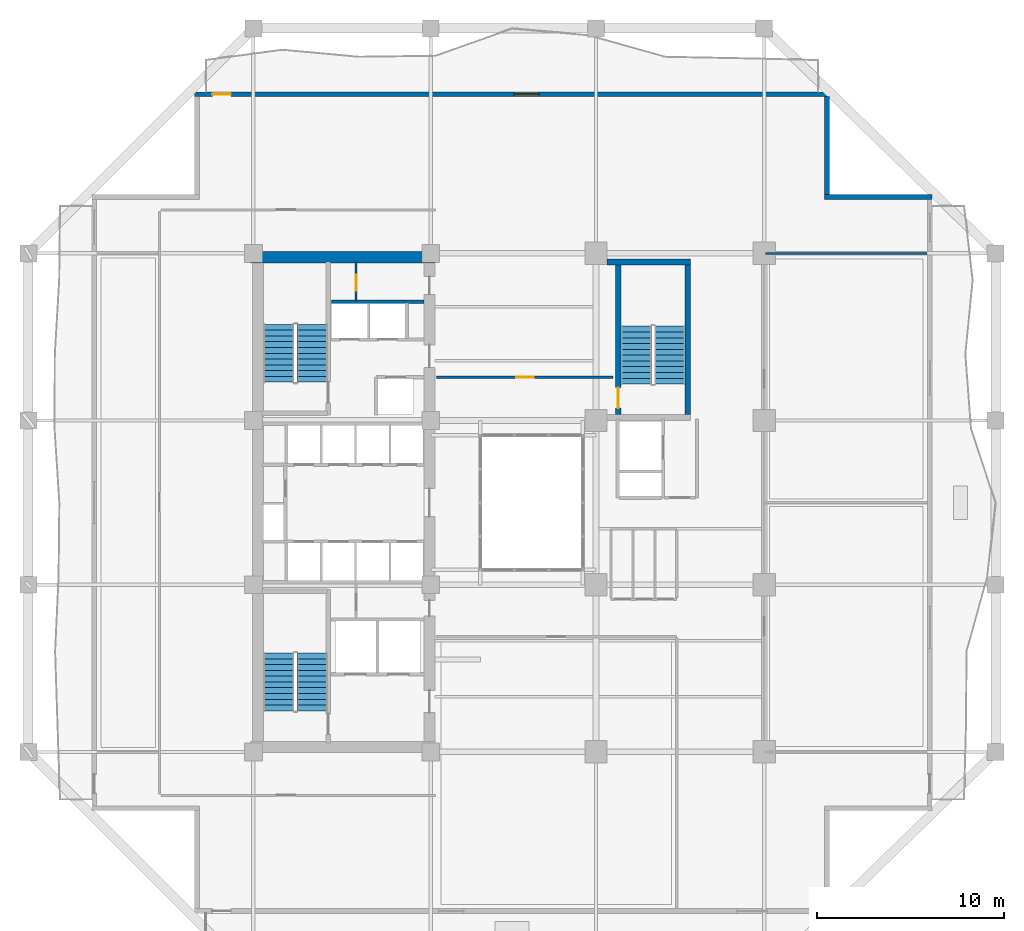
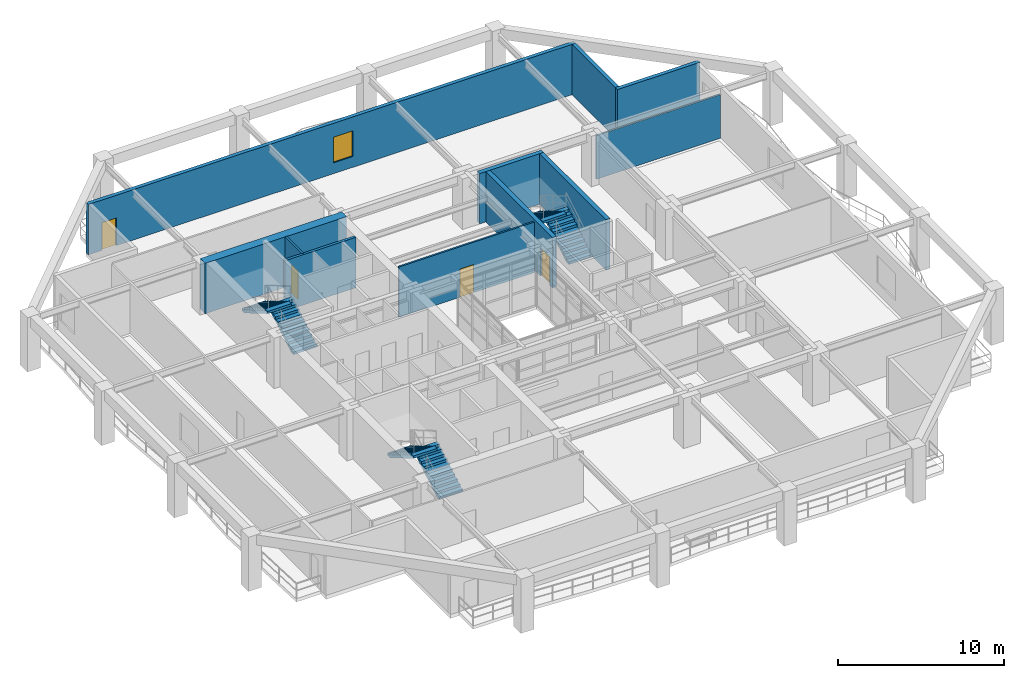
# One storey, part 9 of 17: 11 walls, 6 stair flights, 4 doors, 1 window, 5 openings, 3 elements without a shape of their own.
"""IFC4 building model written with IfcOpenShell, lengths in metres."""

from ifc_helpers import new_model, si_unit, direction, frame, frame_2d, origin, place, context, subcontext, project, spatial, polyline, rectangle, outline, extrude, material, layer, layer_set, type_object, element, fill, aggregate, save


model = new_model("IFC4")

# Units and contexts
model_context = context("Model", 3, precision=1e-05, world=origin(), true_north=direction((0.0, 1.0)))
body_context = subcontext(model_context, "Body", "Model", "MODEL_VIEW")
ifc_project = project(units=[si_unit("LENGTHUNIT", "METRE"), si_unit("AREAUNIT", "SQUARE_METRE"), si_unit("VOLUMEUNIT", "CUBIC_METRE"), si_unit("PLANEANGLEUNIT", "RADIAN"), si_unit("MASSUNIT", "GRAM", prefix="KILO")], contexts=[model_context])

# Site, building, storey
site_placement = place(None, origin())
site = spatial("IfcSite", under=ifc_project, at=site_placement, CompositionType="ELEMENT")
building_placement = place(site_placement, origin())
building = spatial("IfcBuilding", under=site, at=building_placement, Name="Kundavana Baori Tower", CompositionType="ELEMENT")
storey_placement = place(building_placement, frame((0.0, 0.0, 26.0)))
storey = spatial("IfcBuildingStorey", under=building, at=storey_placement, Name="L05", CompositionType="ELEMENT", Elevation=26.0)

# Walls
ifc_material_1 = material(Name="Concrete C60/75", Category="concrete")
ifc_layer_1 = layer(ifc_material_1, 0.60009765625, Name="WL-CORE-600")
ifc_layer_set_1 = layer_set([ifc_layer_1], Name="Concrete C60/75")
wall_type_1 = type_object("IfcWallType", Name="WL-CORE-600", PredefinedType="SHEAR", material=ifc_layer_set_1)
wall_1_placement = place(storey_placement, frame((15.300048828125, 41.739990234375, 0.0), z_axis=(0.0, 0.0, 1.0), x_axis=(1.0, 0.0, 0.0)))
element("IfcWall", 1, at=wall_1_placement, inside=storey, type_object=wall_type_1, Name="L05 Offset Core North Shear Wall", PredefinedType="SHEAR", context=body_context, shape_type="SweptSolid", body=[
    extrude(rectangle(XDim=9.8798828125, YDim=0.60009765625, at=frame_2d((4.93994140625, 0.0))), origin(), (0.0, 0.0, 1.0), 3.719970703125),
])
ifc_material_2 = material(Name="Kiln-Fired Terracotta Brick-Slip Masonry on Concrete C40/50", Category="masonry")
ifc_layer_2 = layer(ifc_material_2, 0.260009765625, Name="WL-EXT-BRK-260")
ifc_layer_set_2 = layer_set([ifc_layer_2], Name="Kiln-Fired Terracotta Brick-Slip Masonry on Concrete C40/50")
wall_type_2 = type_object("IfcWallType", Name="WL-EXT-BRK-260", PredefinedType="SOLIDWALL", material=ifc_layer_set_2)
wall_2_placement = place(storey_placement, frame((51.800048828125, 44.969970703125, 0.0), z_axis=(0.0, 0.0, 1.0), x_axis=(-1.0, 0.0, 0.0)))
element("IfcWall", 2, at=wall_2_placement, inside=storey, type_object=wall_type_2, Name="L05 Exterior Insulated Facade Wall 05", PredefinedType="SOLIDWALL", context=body_context, shape_type="SweptSolid", body=[
    extrude(rectangle(XDim=5.760009765625, YDim=0.260009765625, at=frame_2d((2.8798828125, 0.0))), origin(), (0.0, 0.0, 1.0), 3.719970703125),
])
wall_3_placement = place(storey_placement, frame((46.169921875, 45.10009765625, 0.0), z_axis=(0.0, 0.0, 1.0), x_axis=(0.0, 1.0, 0.0)))
element("IfcWall", 3, at=wall_3_placement, inside=storey, type_object=wall_type_2, Name="L05 Exterior Insulated Facade Wall 06", PredefinedType="SOLIDWALL", context=body_context, shape_type="SweptSolid", body=[
    extrude(rectangle(XDim=5.239990234375, YDim=0.260009765625, at=frame_2d((2.6201171875, 0.0))), origin(), (0.0, 0.0, 1.0), 3.719970703125),
])

# Wall, openings, door, window
wall_4_placement = place(storey_placement, frame((46.300048828125, 50.469970703125, 0.0), z_axis=(0.0, 0.0, 1.0), x_axis=(-1.0, 0.0, 0.0)))
wall_4 = element("IfcWall", 4, at=wall_4_placement, inside=storey, type_object=wall_type_2, Name="L05 Exterior Insulated Facade Wall 07", PredefinedType="SOLIDWALL", context=body_context, shape_type="SweptSolid", body=[
    extrude(rectangle(XDim=34.0, YDim=0.260009765625, at=frame_2d((17.0, 0.0))), origin(), (0.0, 0.0, 1.0), 3.719970703125),
])
opening_1_placement = place(wall_4_placement, frame((32.050048828125, 0.0, 0.0)))
opening_1 = element("IfcOpeningElement", 5, at=opening_1_placement, cuts=wall_4, Name="Opening BD-1", PredefinedType="OPENING", context=body_context, shape_type="SweptSolid", body=[
    extrude(rectangle(XDim=1.0, YDim=2.050048828125, at=frame_2d((0.5, 1.02490234375))), frame((0.0, 0.14013671875, 0.0), z_axis=(0.0, -1.0, 0.0), x_axis=(1.0, 0.0, 0.0)), (0.0, 0.0, 1.0), 0.280029296875),
])
opening_2_placement = place(wall_4_placement, frame((15.550048828125, 0.0, 0.800048828125)))
opening_2 = element("IfcOpeningElement", 6, at=opening_2_placement, cuts=wall_4, Name="Opening W-07", PredefinedType="OPENING", context=body_context, shape_type="SweptSolid", body=[
    extrude(rectangle(XDim=1.35009765625, YDim=1.89990234375, at=frame_2d((0.675048828125, 0.949951171875))), frame((0.0, 0.14013671875, 0.0), z_axis=(0.0, -1.0, 0.0), x_axis=(1.0, 0.0, 0.0)), (0.0, 0.0, 1.0), 0.280029296875),
])
ifc_material_3 = material(Name="Architectural Patinated Bronze Metalwork")
door_type_1 = type_object("IfcDoorType", Name="DR-EXT-LOG-1000", OperationType="NOTDEFINED", PredefinedType="DOOR", material=ifc_material_3)
door_1_placement = place(opening_1_placement, frame((1.0, 0.0, 0.0), z_axis=(0.0, 0.0, 1.0), x_axis=(-1.0, 0.0, 0.0)))
door_1 = element("IfcDoor", 7, at=door_1_placement, inside=storey, type_object=door_type_1, Name="L05 Loggia Balcony Access Door N", OperationType="SINGLE_SWING_LEFT", OverallHeight=2.050048828125, OverallWidth=1.0, PredefinedType="DOOR", context=body_context, shape_type="SweptSolid", body=[
    extrude(rectangle(XDim=1.0, YDim=2.050048828125, at=frame_2d((0.5, 1.02490234375))), frame((0.0, 0.02490234375, 0.0), z_axis=(0.0, -1.0, 0.0), x_axis=(1.0, 0.0, 0.0)), (0.0, 0.0, 1.0), 0.050048828125),
])
fill(opening_1, door_1)
ifc_material_4 = material(Name="Double-Glazed Solar-Control Low-E Insulated Glass", Category="glass")
window_type = type_object("IfcWindowType", Name="WIN-LOG-1350x1900", PartitioningType="SINGLE_PANEL", PredefinedType="WINDOW", material=ifc_material_4)
window_placement = place(opening_2_placement, origin())
window = element("IfcWindow", 8, at=window_placement, inside=storey, type_object=window_type, Name="L05 Recessed Loggia Window N-1", OverallHeight=1.89990234375, OverallWidth=1.35009765625, PartitioningType="SINGLE_PANEL", PredefinedType="WINDOW", context=body_context, shape_type="SweptSolid", body=[
    extrude(rectangle(XDim=1.35009765625, YDim=1.89990234375, at=frame_2d((0.675048828125, 0.949951171875))), frame((0.0, 0.030029296875, 0.0), z_axis=(0.0, -1.0, 0.0), x_axis=(1.0, 0.0, 0.0)), (0.0, 0.0, 1.0), 0.06005859375),
])
fill(opening_2, window)

# Wall, opening, door
ifc_material_5 = material(Name="Acoustic Gypsum Plasterboard on Galvanised Steel Studs", Category="steel")
ifc_layer_3 = layer(ifc_material_5, 0.1201171875, Name="WL-PART-120")
ifc_layer_set_3 = layer_set([ifc_layer_3], Name="Acoustic Gypsum Plasterboard on Galvanised Steel Studs")
wall_type_3 = type_object("IfcWallType", Name="WL-PART-120", PredefinedType="PARTITIONING", material=ifc_layer_set_3)
wall_5_placement = place(storey_placement, frame((20.949951171875, 39.39990234375, 0.0), z_axis=(0.0, 0.0, 1.0), x_axis=(0.0, 1.0, 0.0)))
wall_5 = element("IfcWall", 9, at=wall_5_placement, inside=storey, type_object=wall_type_3, Name="WL-L05-CSRV-D2", PredefinedType="PARTITIONING", context=body_context, shape_type="SweptSolid", body=[
    extrude(rectangle(XDim=2.080078125, YDim=0.1201171875, at=frame_2d((1.0400390625, 0.0))), origin(), (0.0, 0.0, 1.0), 3.719970703125),
])
opening_3_placement = place(wall_5_placement, frame((0.550048828125, 0.0, 0.0)))
opening_3 = element("IfcOpeningElement", 10, at=opening_3_placement, cuts=wall_5, Name="Opening FD-085", PredefinedType="OPENING", context=body_context, shape_type="SweptSolid", body=[
    extrude(rectangle(XDim=0.85009765625, YDim=2.06005859375, at=frame_2d((0.425048828125, 1.030029296875))), frame((0.0, 0.070068359375, 0.0), z_axis=(0.0, -1.0, 0.0), x_axis=(1.0, 0.0, 0.0)), (0.0, 0.0, 1.0), 0.14013671875),
])
ifc_material_6 = material(Name="Galvanised Steel Fire-Rated Door Leaf", Category="steel")
door_type_2 = type_object("IfcDoorType", Name="DR-FD60-850", OperationType="NOTDEFINED", PredefinedType="DOOR", material=ifc_material_6)
door_2_placement = place(opening_3_placement, origin())
door_2 = element("IfcDoor", 11, at=door_2_placement, inside=storey, type_object=door_type_2, Name="DR-L05-CSRV1", OperationType="SINGLE_SWING_RIGHT", OverallHeight=2.06005859375, OverallWidth=0.85009765625, PredefinedType="DOOR", context=body_context, shape_type="SweptSolid", body=[
    extrude(rectangle(XDim=0.85009765625, YDim=2.06005859375, at=frame_2d((0.425048828125, 1.030029296875))), frame((0.0, 0.02490234375, 0.0), z_axis=(0.0, -1.0, 0.0), x_axis=(1.0, 0.0, 0.0)), (0.0, 0.0, 1.0), 0.050048828125),
])
fill(opening_3, door_2)

wall_6_placement = place(storey_placement, frame((25.25, 35.320068359375, 0.0), z_axis=(0.0, 0.0, 1.0), x_axis=(1.0, 0.0, 0.0)))
wall_6 = element("IfcWall", 12, at=wall_6_placement, inside=storey, type_object=wall_type_3, Name="WL-L05-OFN", PredefinedType="PARTITIONING", context=body_context, shape_type="SweptSolid", body=[
    extrude(rectangle(XDim=9.469970703125, YDim=0.1201171875, at=frame_2d((4.73486328125, 0.0))), origin(), (0.0, 0.0, 1.0), 3.719970703125),
])
opening_4_placement = place(wall_6_placement, frame((4.264892578125, 0.0, 0.0)))
opening_4 = element("IfcOpeningElement", 13, at=opening_4_placement, cuts=wall_6, Name="Opening ID-095", PredefinedType="OPENING", context=body_context, shape_type="SweptSolid", body=[
    extrude(rectangle(XDim=0.949951171875, YDim=2.080078125, at=frame_2d((0.47509765625, 1.0400390625))), frame((0.0, 0.070068359375, 0.0), z_axis=(0.0, -1.0, 0.0), x_axis=(1.0, 0.0, 0.0)), (0.0, 0.0, 1.0), 0.14013671875),
])
ifc_material_7 = material(Name="Engineered Teak Solid-Core Timber Veneer", Category="wood")
door_type_3 = type_object("IfcDoorType", Name="DR-INT-950", OperationType="NOTDEFINED", PredefinedType="DOOR", material=ifc_material_7)
door_3_placement = place(opening_4_placement, origin())
door_3 = element("IfcDoor", 14, at=door_3_placement, inside=storey, type_object=door_type_3, Name="DR-L05-OFN1", OperationType="SINGLE_SWING_LEFT", OverallHeight=2.080078125, OverallWidth=0.949951171875, PredefinedType="DOOR", context=body_context, shape_type="SweptSolid", body=[
    extrude(rectangle(XDim=0.949951171875, YDim=2.080078125, at=frame_2d((0.47509765625, 1.0400390625))), frame((0.0, 0.02490234375, 0.0), z_axis=(0.0, -1.0, 0.0), x_axis=(1.0, 0.0, 0.0)), (0.0, 0.0, 1.0), 0.050048828125),
])
fill(opening_4, door_3)

# Walls
wall_7_placement = place(storey_placement, frame((42.8798828125, 41.949951171875, 0.0), z_axis=(0.0, 0.0, 1.0), x_axis=(1.0, 0.0, 0.0)))
element("IfcWall", 15, at=wall_7_placement, inside=storey, type_object=wall_type_3, Name="WL-L05-OFEN", PredefinedType="PARTITIONING", context=body_context, shape_type="SweptSolid", body=[
    extrude(rectangle(XDim=8.64013671875, YDim=0.1201171875, at=frame_2d((4.320068359375, 0.0))), origin(), (0.0, 0.0, 1.0), 3.219970703125),
])
ifc_material_8 = material(Name="Autoclaved Aerated Concrete Blockwork Masonry", Category="masonry")
ifc_layer_4 = layer(ifc_material_8, 0.179931640625, Name="WL-SHAFT-180")
ifc_layer_set_4 = layer_set([ifc_layer_4], Name="Autoclaved Aerated Concrete Blockwork Masonry")
wall_type_4 = type_object("IfcWallType", Name="WL-SHAFT-180", PredefinedType="SOLIDWALL", material=ifc_layer_set_4)
wall_8_placement = place(storey_placement, frame((19.639892578125, 39.360107421875, 0.0), z_axis=(0.0, 0.0, 1.0), x_axis=(1.0, 0.0, 0.0)))
element("IfcWall", 16, at=wall_8_placement, inside=storey, type_object=wall_type_4, Name="WL-L05-HRLOB-TOP", PredefinedType="SOLIDWALL", context=body_context, shape_type="SweptSolid", body=[
    extrude(rectangle(XDim=4.940185546875, YDim=0.179931640625, at=frame_2d((2.47021484375, 0.0))), origin(), (0.0, 0.0, 1.0), 3.719970703125),
])
ifc_material_9 = material(Name="Concrete C50/60", Category="concrete")
ifc_layer_5 = layer(ifc_material_9, 0.300048828125, Name="WL-ST3-300")
ifc_layer_set_5 = layer_set([ifc_layer_5], Name="Concrete C50/60")
wall_type_5 = type_object("IfcWallType", Name="WL-ST3-300", PredefinedType="SHEAR", material=ifc_layer_set_5)
wall_9_placement = place(storey_placement, frame((34.39990234375, 41.489990234375, 0.0), z_axis=(0.0, 0.0, 1.0), x_axis=(1.0, 0.0, 0.0)))
element("IfcWall", 17, at=wall_9_placement, inside=storey, type_object=wall_type_5, Name="L05 Stair ST3 North Shear Wall", PredefinedType="SHEAR", context=body_context, shape_type="SweptSolid", body=[
    extrude(rectangle(XDim=4.47021484375, YDim=0.300048828125, at=frame_2d((2.235107421875, 0.0))), origin(), (0.0, 0.0, 1.0), 3.719970703125),
])

# Wall, opening, door
wall_10_placement = place(storey_placement, frame((34.97998046875, 33.31005859375, 0.0), z_axis=(0.0, 0.0, 1.0), x_axis=(0.0, 1.0, 0.0)))
wall_10 = element("IfcWall", 18, at=wall_10_placement, inside=storey, type_object=wall_type_5, Name="L05 Stair ST3 West Shear Wall", PredefinedType="SHEAR", context=body_context, shape_type="SweptSolid", body=[
    extrude(rectangle(XDim=8.030029296875, YDim=0.300048828125, at=frame_2d((4.01513671875, 0.0))), origin(), (0.0, 0.0, 1.0), 3.719970703125),
])
opening_5_placement = place(wall_10_placement, frame((0.35009765625, 0.0, 0.0)))
opening_5 = element("IfcOpeningElement", 19, at=opening_5_placement, cuts=wall_10, Name="Opening FD-110", PredefinedType="OPENING", context=body_context, shape_type="SweptSolid", body=[
    extrude(rectangle(XDim=1.10009765625, YDim=2.10009765625, at=frame_2d((0.550048828125, 1.050048828125))), frame((0.0, 0.16015625, 0.0), z_axis=(0.0, -1.0, 0.0), x_axis=(1.0, 0.0, 0.0)), (0.0, 0.0, 1.0), 0.320068359375),
])
ifc_material_10 = material(Name="Galvanised Steel Fire-Rated Door Leaf", Category="steel")
door_type_4 = type_object("IfcDoorType", Name="DR-FD120-1100", OperationType="NOTDEFINED", PredefinedType="DOOR", material=ifc_material_10)
door_4_placement = place(opening_5_placement, origin())
door_4 = element("IfcDoor", 20, at=door_4_placement, inside=storey, type_object=door_type_4, Name="DR-L05-ST3-W", OperationType="SINGLE_SWING_LEFT", OverallHeight=2.10009765625, OverallWidth=1.10009765625, PredefinedType="DOOR", context=body_context, shape_type="SweptSolid", body=[
    extrude(rectangle(XDim=1.10009765625, YDim=2.10009765625, at=frame_2d((0.550048828125, 1.050048828125))), frame((0.0, 0.02490234375, 0.0), z_axis=(0.0, -1.0, 0.0), x_axis=(1.0, 0.0, 0.0)), (0.0, 0.0, 1.0), 0.050048828125),
])
fill(opening_5, door_4)

# Wall
wall_11_placement = place(storey_placement, frame((38.719970703125, 33.31005859375, 0.0), z_axis=(0.0, 0.0, 1.0), x_axis=(0.0, 1.0, 0.0)))
element("IfcWall", 21, at=wall_11_placement, inside=storey, type_object=wall_type_5, Name="L05 Stair ST3 East Shear Wall", PredefinedType="SHEAR", context=body_context, shape_type="SweptSolid", body=[
    extrude(rectangle(XDim=8.030029296875, YDim=0.300048828125, at=frame_2d((4.01513671875, 0.0))), origin(), (0.0, 0.0, 1.0), 3.719970703125),
])

# Stair, stair flights
ifc_material_11 = material(Name="Concrete C40/50", Category="concrete")
stair_type = type_object("IfcStairType", Name="STR-DOG-1650", PredefinedType="HALF_TURN_STAIR", material=ifc_material_11)
stair_1_placement = place(storey_placement, origin())
stair_1 = element("IfcStair", 22, at=stair_1_placement, inside=storey, type_object=stair_type, Name="L05 Protected Exit Stair ST1", PredefinedType="HALF_TURN_STAIR")
ifc_material_12 = material(Name="Concrete C40/50", Category="concrete")
stair_flight_type = type_object("IfcStairFlightType", Name="SFL-RC-1650", PredefinedType="STRAIGHT", material=ifc_material_12)
stair_flight_1_placement = place(storey_placement, frame((18.614990234375, 17.449951171875, 0.0), z_axis=(0.0, 0.0, 1.0), x_axis=(0.0, 1.0, 0.0)))
stair_flight_1 = element("IfcStairFlight", 23, at=stair_flight_1_placement, type_object=stair_flight_type, Name="ST1 flight 1", NumberOfRisers=11, NumberOfTreads=10, PredefinedType="STRAIGHT", RiserHeight=0.181818182, TreadLength=0.31, context=body_context, shape_type="SweptSolid", body=[
    extrude(outline(polyline([(0.0, 0.0), (0.0, 0.181884765625), (0.31005859375, 0.181884765625), (0.31005859375, 0.363525390625), (0.6201171875, 0.363525390625), (0.6201171875, 0.54541015625), (0.929931640625, 0.54541015625), (0.929931640625, 0.727294921875), (1.239990234375, 0.727294921875), (1.239990234375, 0.9091796875), (1.550048828125, 0.9091796875), (1.550048828125, 1.0908203125), (1.860107421875, 1.0908203125), (1.860107421875, 1.272705078125), (2.169921875, 1.272705078125), (2.169921875, 1.45458984375), (2.47998046875, 1.45458984375), (2.47998046875, 1.636474609375), (2.7900390625, 1.636474609375), (2.7900390625, 1.818115234375), (3.10009765625, 1.818115234375), (3.10009765625, 2.0), (3.10009765625, 1.644287109375), (0.29638671875, 0.0), (0.0, 0.0)])), frame((0.0, 0.824951171875, 0.0), z_axis=(0.0, -1.0, 0.0), x_axis=(1.0, 0.0, 0.0)), (0.0, 0.0, 1.0), 1.64990234375),
])
stair_flight_2_placement = place(storey_placement, frame((16.804931640625, 20.550048828125, 2.0), z_axis=(0.0, 0.0, 1.0), x_axis=(0.0, -1.0, 0.0)))
stair_flight_2 = element("IfcStairFlight", 24, at=stair_flight_2_placement, type_object=stair_flight_type, Name="ST1 flight 2", NumberOfRisers=11, NumberOfTreads=10, PredefinedType="STRAIGHT", RiserHeight=0.181818182, TreadLength=0.31, context=body_context, shape_type="SweptSolid", body=[
    extrude(outline(polyline([(0.0, 0.0), (0.0, 0.181884765625), (0.31005859375, 0.181884765625), (0.31005859375, 0.363525390625), (0.6201171875, 0.363525390625), (0.6201171875, 0.54541015625), (0.929931640625, 0.54541015625), (0.929931640625, 0.727294921875), (1.239990234375, 0.727294921875), (1.239990234375, 0.9091796875), (1.550048828125, 0.9091796875), (1.550048828125, 1.0908203125), (1.860107421875, 1.0908203125), (1.860107421875, 1.272705078125), (2.169921875, 1.272705078125), (2.169921875, 1.45458984375), (2.47998046875, 1.45458984375), (2.47998046875, 1.636474609375), (2.7900390625, 1.636474609375), (2.7900390625, 1.818115234375), (3.10009765625, 1.818115234375), (3.10009765625, 2.0), (3.10009765625, 1.644287109375), (0.29638671875, 0.0), (0.0, 0.0)])), frame((0.0, 0.824951171875, 0.0), z_axis=(0.0, -1.0, 0.0), x_axis=(1.0, 0.0, 0.0)), (0.0, 0.0, 1.0), 1.64990234375),
])
aggregate(stair_1, [stair_flight_1, stair_flight_2])

stair_2_placement = place(storey_placement, origin())
stair_2 = element("IfcStair", 25, at=stair_2_placement, inside=storey, type_object=stair_type, Name="L05 Protected Exit Stair ST2", PredefinedType="HALF_TURN_STAIR")
stair_flight_3_placement = place(storey_placement, frame((18.614990234375, 35.050048828125, 0.0), z_axis=(0.0, 0.0, 1.0), x_axis=(0.0, 1.0, 0.0)))
stair_flight_3 = element("IfcStairFlight", 26, at=stair_flight_3_placement, type_object=stair_flight_type, Name="ST2 flight 1", NumberOfRisers=11, NumberOfTreads=10, PredefinedType="STRAIGHT", RiserHeight=0.181818182, TreadLength=0.31, context=body_context, shape_type="SweptSolid", body=[
    extrude(outline(polyline([(0.0, 0.0), (0.0, 0.181884765625), (0.31005859375, 0.181884765625), (0.31005859375, 0.363525390625), (0.6201171875, 0.363525390625), (0.6201171875, 0.54541015625), (0.929931640625, 0.54541015625), (0.929931640625, 0.727294921875), (1.239990234375, 0.727294921875), (1.239990234375, 0.9091796875), (1.550048828125, 0.9091796875), (1.550048828125, 1.0908203125), (1.860107421875, 1.0908203125), (1.860107421875, 1.272705078125), (2.169921875, 1.272705078125), (2.169921875, 1.45458984375), (2.47998046875, 1.45458984375), (2.47998046875, 1.636474609375), (2.7900390625, 1.636474609375), (2.7900390625, 1.818115234375), (3.10009765625, 1.818115234375), (3.10009765625, 2.0), (3.10009765625, 1.644287109375), (0.29638671875, 0.0), (0.0, 0.0)])), frame((0.0, 0.824951171875, 0.0), z_axis=(0.0, -1.0, 0.0), x_axis=(1.0, 0.0, 0.0)), (0.0, 0.0, 1.0), 1.64990234375),
])
stair_flight_4_placement = place(storey_placement, frame((16.804931640625, 38.14990234375, 2.0), z_axis=(0.0, 0.0, 1.0), x_axis=(0.0, -1.0, 0.0)))
stair_flight_4 = element("IfcStairFlight", 27, at=stair_flight_4_placement, type_object=stair_flight_type, Name="ST2 flight 2", NumberOfRisers=11, NumberOfTreads=10, PredefinedType="STRAIGHT", RiserHeight=0.181818182, TreadLength=0.31, context=body_context, shape_type="SweptSolid", body=[
    extrude(outline(polyline([(0.0, 0.0), (0.0, 0.181884765625), (0.31005859375, 0.181884765625), (0.31005859375, 0.363525390625), (0.6201171875, 0.363525390625), (0.6201171875, 0.54541015625), (0.929931640625, 0.54541015625), (0.929931640625, 0.727294921875), (1.239990234375, 0.727294921875), (1.239990234375, 0.9091796875), (1.550048828125, 0.9091796875), (1.550048828125, 1.0908203125), (1.860107421875, 1.0908203125), (1.860107421875, 1.272705078125), (2.169921875, 1.272705078125), (2.169921875, 1.45458984375), (2.47998046875, 1.45458984375), (2.47998046875, 1.636474609375), (2.7900390625, 1.636474609375), (2.7900390625, 1.818115234375), (3.10009765625, 1.818115234375), (3.10009765625, 2.0), (3.10009765625, 1.644287109375), (0.29638671875, 0.0), (0.0, 0.0)])), frame((0.0, 0.824951171875, 0.0), z_axis=(0.0, -1.0, 0.0), x_axis=(1.0, 0.0, 0.0)), (0.0, 0.0, 1.0), 1.64990234375),
])
aggregate(stair_2, [stair_flight_3, stair_flight_4])

stair_3_placement = place(storey_placement, origin())
stair_3 = element("IfcStair", 28, at=stair_3_placement, inside=storey, type_object=stair_type, Name="L05 Protected Exit Stair ST3", PredefinedType="HALF_TURN_STAIR")
stair_flight_5_placement = place(storey_placement, frame((37.7548828125, 34.949951171875, 0.0), z_axis=(0.0, 0.0, 1.0), x_axis=(0.0, 1.0, 0.0)))
stair_flight_5 = element("IfcStairFlight", 29, at=stair_flight_5_placement, type_object=stair_flight_type, Name="ST3 flight 1", NumberOfRisers=11, NumberOfTreads=10, PredefinedType="STRAIGHT", RiserHeight=0.181818182, TreadLength=0.31, context=body_context, shape_type="SweptSolid", body=[
    extrude(outline(polyline([(0.0, 0.0), (0.0, 0.181884765625), (0.31005859375, 0.181884765625), (0.31005859375, 0.363525390625), (0.6201171875, 0.363525390625), (0.6201171875, 0.54541015625), (0.929931640625, 0.54541015625), (0.929931640625, 0.727294921875), (1.239990234375, 0.727294921875), (1.239990234375, 0.9091796875), (1.550048828125, 0.9091796875), (1.550048828125, 1.0908203125), (1.860107421875, 1.0908203125), (1.860107421875, 1.272705078125), (2.169921875, 1.272705078125), (2.169921875, 1.45458984375), (2.47998046875, 1.45458984375), (2.47998046875, 1.636474609375), (2.7900390625, 1.636474609375), (2.7900390625, 1.818115234375), (3.10009765625, 1.818115234375), (3.10009765625, 2.0), (3.10009765625, 1.644287109375), (0.29638671875, 0.0), (0.0, 0.0)])), frame((0.0, 0.824951171875, 0.0), z_axis=(0.0, -1.0, 0.0), x_axis=(1.0, 0.0, 0.0)), (0.0, 0.0, 1.0), 1.64990234375),
])
stair_flight_6_placement = place(storey_placement, frame((35.945068359375, 38.050048828125, 2.0), z_axis=(0.0, 0.0, 1.0), x_axis=(0.0, -1.0, 0.0)))
stair_flight_6 = element("IfcStairFlight", 30, at=stair_flight_6_placement, type_object=stair_flight_type, Name="ST3 flight 2", NumberOfRisers=11, NumberOfTreads=10, PredefinedType="STRAIGHT", RiserHeight=0.181818182, TreadLength=0.31, context=body_context, shape_type="SweptSolid", body=[
    extrude(outline(polyline([(0.0, 0.0), (0.0, 0.181884765625), (0.31005859375, 0.181884765625), (0.31005859375, 0.363525390625), (0.6201171875, 0.363525390625), (0.6201171875, 0.54541015625), (0.929931640625, 0.54541015625), (0.929931640625, 0.727294921875), (1.239990234375, 0.727294921875), (1.239990234375, 0.9091796875), (1.550048828125, 0.9091796875), (1.550048828125, 1.0908203125), (1.860107421875, 1.0908203125), (1.860107421875, 1.272705078125), (2.169921875, 1.272705078125), (2.169921875, 1.45458984375), (2.47998046875, 1.45458984375), (2.47998046875, 1.636474609375), (2.7900390625, 1.636474609375), (2.7900390625, 1.818115234375), (3.10009765625, 1.818115234375), (3.10009765625, 2.0), (3.10009765625, 1.644287109375), (0.29638671875, 0.0), (0.0, 0.0)])), frame((0.0, 0.824951171875, 0.0), z_axis=(0.0, -1.0, 0.0), x_axis=(1.0, 0.0, 0.0)), (0.0, 0.0, 1.0), 1.64990234375),
])
aggregate(stair_3, [stair_flight_5, stair_flight_6])

save(model, "model.ifc")
